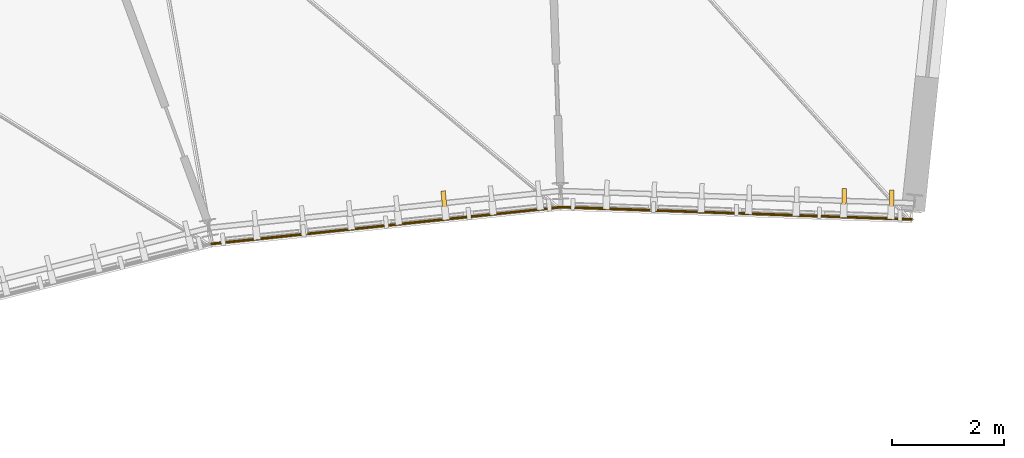
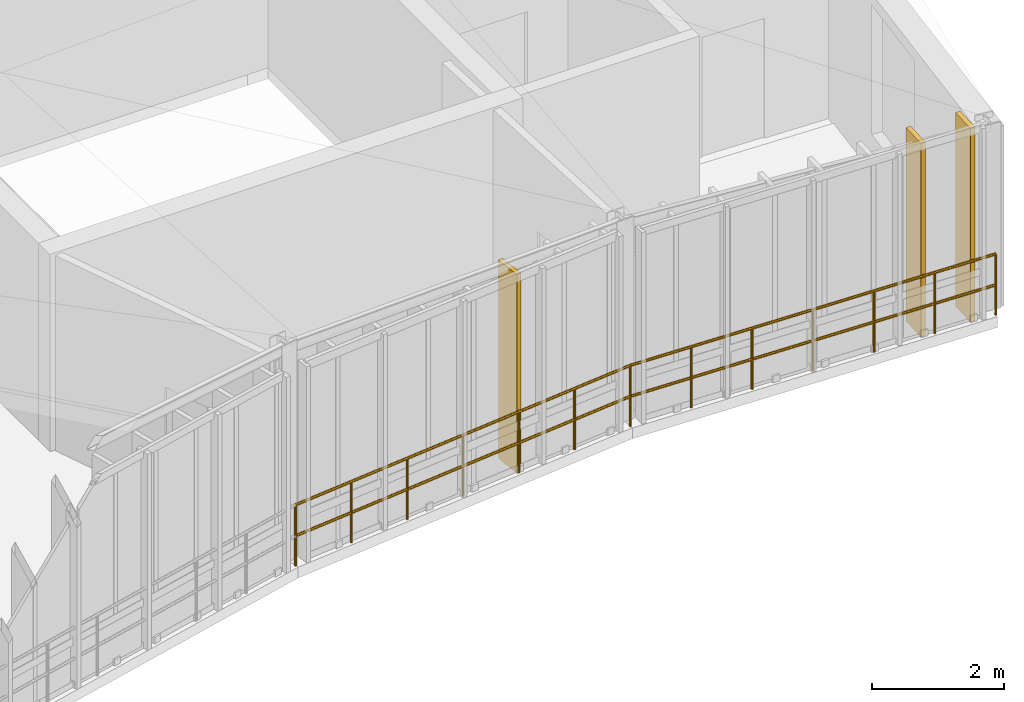
# One storey, part 40 of 42: 3 coverings, 2 railings.
"""IFC4 building model written with IfcOpenShell, lengths in metres."""

from ifc_helpers import new_model, si_unit, direction, frame, origin, origin_2d, place, context, subcontext, project, spatial, rectangle, circle, extrude, material, layer, layer_set, type_object, element, save


model = new_model("IFC4")

# Units and contexts
model_context = context("Model", 3, precision=1e-05, world=origin(), true_north=direction((0.0, 1.0)))
body_context = subcontext(model_context, "Body", "Model", "MODEL_VIEW")
ifc_project = project(units=[si_unit("LENGTHUNIT", "METRE"), si_unit("AREAUNIT", "SQUARE_METRE"), si_unit("VOLUMEUNIT", "CUBIC_METRE"), si_unit("PLANEANGLEUNIT", "RADIAN"), si_unit("MASSUNIT", "GRAM", prefix="KILO"), si_unit("THERMODYNAMICTEMPERATUREUNIT", "KELVIN"), si_unit("POWERUNIT", "WATT")], contexts=[model_context])

# Site, building, storey
site_placement = place(None, origin())
site = spatial("IfcSite", under=ifc_project, at=site_placement, CompositionType="ELEMENT")
building_placement = place(site_placement, origin())
building = spatial("IfcBuilding", under=site, at=building_placement, Name="Solvatero Civic Police Headquarters", CompositionType="ELEMENT")
storey_placement = place(building_placement, frame((0.0, 0.0, 21.60009765625)))
storey = spatial("IfcBuildingStorey", under=building, at=storey_placement, Name="L05", CompositionType="ELEMENT", Elevation=21.60009765625)

# Coverings
ifc_material_1 = material(Name="Anodized Bronze Aluminium", Category="aluminium")
ifc_layer = layer(ifc_material_1, 0.080078125)
ifc_layer_set = layer_set([ifc_layer], Name="Anodized Bronze Aluminium")
covering_type = type_object("IfcCoveringType", Name="COV-FIN-480", PredefinedType="CLADDING", material=ifc_layer_set)
for number, where, z_axis, x_axis, name in (
    (1, (98.340087890625, 71.09619140625, -0.02001953125), (0.0, 0.0, 1.0), (-0.999390827019, 0.034899496703, 0.0), "Vertical Brise-Soleil Fin 1007"),
    (2, (97.490478515625, 71.125732421875, -0.02001953125), (0.0, 0.0, 1.0), (-0.999390827019, 0.034899496703, 0.0), "Vertical Brise-Soleil Fin 1008"),
):
    element("IfcCovering", number, at=place(storey_placement, frame(where, z_axis=z_axis, x_axis=x_axis)), inside=storey, type_object=covering_type, Name=name, PredefinedType="CLADDING", context=body_context, shape_type="SweptSolid", body=[
        extrude(rectangle(XDim=0.080078125, YDim=0.47998046875, at=origin_2d()), origin(), (0.0, 0.0, 1.0), 3.591552734375),
    ])
covering_placement = place(storey_placement, frame((90.3408203125, 71.08447265625, -0.02001953125), z_axis=(0.0, 0.0, 1.0), x_axis=(-0.994521895368, -0.104528463268, 0.0)))
element("IfcCovering", 3, at=covering_placement, inside=storey, type_object=covering_type, Name="Vertical Brise-Soleil Fin 1025", PredefinedType="CLADDING", context=body_context, shape_type="SweptSolid", body=[
    extrude(rectangle(XDim=0.080078125, YDim=0.47998046875, at=origin_2d()), origin(), (0.0, 0.0, 1.0), 3.679931640625),
])

# Railings
ifc_material_2 = material(Name="Anodized Bronze and Laminated Glass", Category="glass")
railing_type = type_object("IfcRailingType", Name="RL-BAL-115", PredefinedType="BALUSTRADE", material=ifc_material_2)
railing_1_placement = place(storey_placement, frame((98.710205078125, 70.813232421875, 0.0)))
element("IfcRailing", 4, at=railing_1_placement, inside=storey, type_object=railing_type, Name="Glazed Facade Sill Balustrade RL-L05-ARCIN-B01", PredefinedType="BALUSTRADE", context=body_context, shape_type="SweptSolid", body=[
    extrude(circle(Radius=0.02392578125, at=origin_2d()), frame((0.0, 0.0, 1.1259765625), z_axis=(-0.999390354314, 0.034913030564, 0.0), x_axis=(-0.034913030564, -0.999390354314, 0.0)), (0.0, 0.0, 1.0), 6.28662109375),
    extrude(circle(Radius=0.02392578125, at=origin_2d()), frame((0.0, 0.0, 0.55078125), z_axis=(-0.999390354314, 0.034913030564, 0.0), x_axis=(-0.034913030564, -0.999390354314, 0.0)), (0.0, 0.0, 1.0), 6.28662109375),
    extrude(circle(Radius=0.02099609375, at=origin_2d()), origin(), (0.0, 0.0, 1.0), 1.101806640625),
    extrude(circle(Radius=0.02099609375, at=origin_2d()), frame((-1.047119140625, 0.03662109375, 0.0)), (0.0, 0.0, 1.0), 1.101806640625),
    extrude(circle(Radius=0.02099609375, at=origin_2d()), frame((-2.09423828125, 0.0732421875, 0.0)), (0.0, 0.0, 1.0), 1.101806640625),
    extrude(circle(Radius=0.02099609375, at=origin_2d()), frame((-3.141357421875, 0.10986328125, 0.0)), (0.0, 0.0, 1.0), 1.101806640625),
    extrude(circle(Radius=0.02099609375, at=origin_2d()), frame((-4.1884765625, 0.146240234375, 0.0)), (0.0, 0.0, 1.0), 1.101806640625),
    extrude(circle(Radius=0.02099609375, at=origin_2d()), frame((-5.235595703125, 0.182861328125, 0.0)), (0.0, 0.0, 1.0), 1.101806640625),
    extrude(circle(Radius=0.02099609375, at=origin_2d()), frame((-6.28271484375, 0.219482421875, 0.0)), (0.0, 0.0, 1.0), 1.101806640625),
])
railing_2_placement = place(storey_placement, frame((92.427490234375, 71.03271484375, 0.0)))
element("IfcRailing", 5, at=railing_2_placement, inside=storey, type_object=railing_type, Name="Glazed Facade Sill Balustrade RL-L05-ARCIN-B02", PredefinedType="BALUSTRADE", context=body_context, shape_type="SweptSolid", body=[
    extrude(circle(Radius=0.02392578125, at=origin_2d()), frame((0.0, 0.0, 1.1259765625), z_axis=(-0.994520338393, -0.104543275839, 0.0), x_axis=(0.104543275839, -0.994520338393, 0.0)), (0.0, 0.0, 1.0), 6.28662109375),
    extrude(circle(Radius=0.02392578125, at=origin_2d()), frame((0.0, 0.0, 0.55078125), z_axis=(-0.994520338393, -0.104543275839, 0.0), x_axis=(0.104543275839, -0.994520338393, 0.0)), (0.0, 0.0, 1.0), 6.28662109375),
    extrude(circle(Radius=0.02099609375, at=origin_2d()), origin(), (0.0, 0.0, 1.0), 1.101806640625),
    extrude(circle(Radius=0.02099609375, at=origin_2d()), frame((-1.0419921875, -0.109619140625, 0.0)), (0.0, 0.0, 1.0), 1.101806640625),
    extrude(circle(Radius=0.02099609375, at=origin_2d()), frame((-2.083984375, -0.218994140625, 0.0)), (0.0, 0.0, 1.0), 1.101806640625),
    extrude(circle(Radius=0.02099609375, at=origin_2d()), frame((-3.1259765625, -0.32861328125, 0.0)), (0.0, 0.0, 1.0), 1.101806640625),
    extrude(circle(Radius=0.02099609375, at=origin_2d()), frame((-4.168212890625, -0.438232421875, 0.0)), (0.0, 0.0, 1.0), 1.101806640625),
    extrude(circle(Radius=0.02099609375, at=origin_2d()), frame((-5.210205078125, -0.547607421875, 0.0)), (0.0, 0.0, 1.0), 1.101806640625),
    extrude(circle(Radius=0.02099609375, at=origin_2d()), frame((-6.252197265625, -0.6572265625, 0.0)), (0.0, 0.0, 1.0), 1.101806640625),
])

save(model, "model.ifc")
